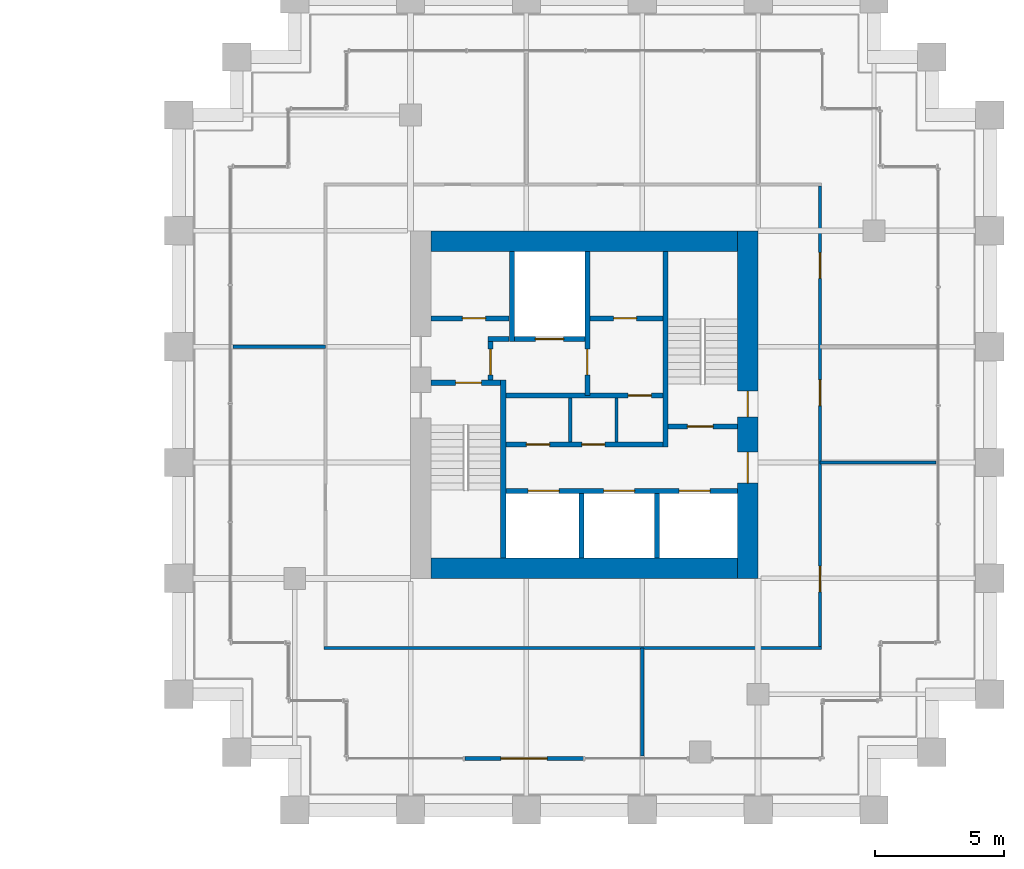
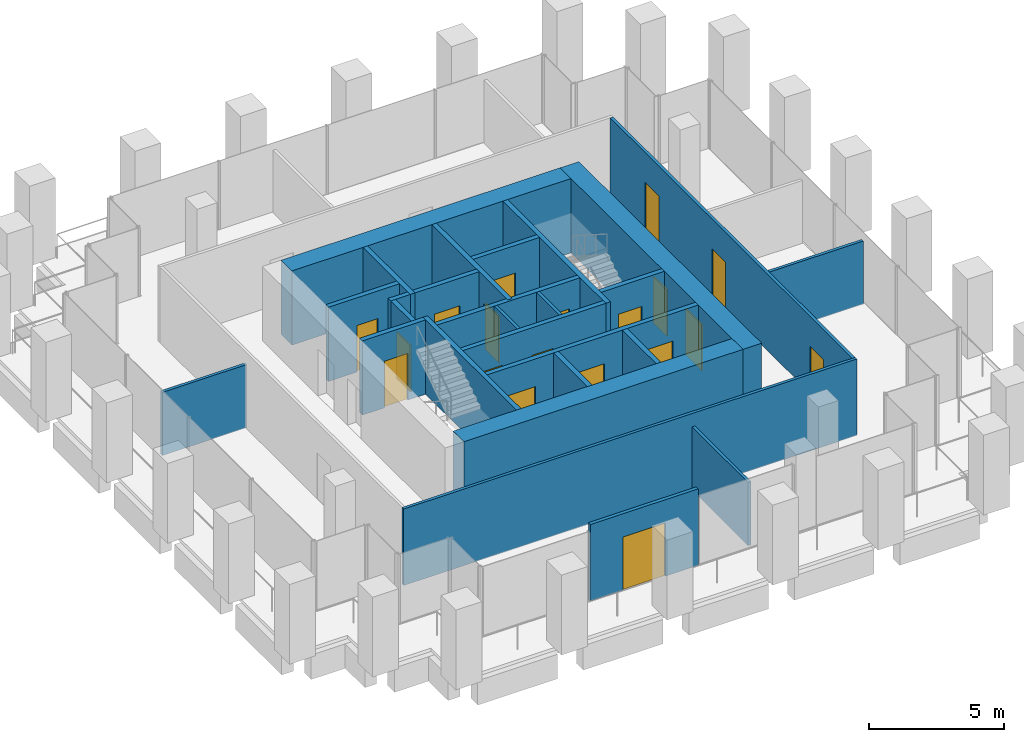
# One storey, part 52 of 54: 27 walls, 19 doors, 19 openings.
"""IFC4 building model written with IfcOpenShell, lengths in metres."""

from ifc_helpers import new_model, si_unit, direction, frame, frame_2d, origin, place, context, subcontext, project, spatial, rectangle, extrude, material, layer, layer_set, type_object, element, fill, save


model = new_model("IFC4")

# Units and contexts
model_context = context("Model", 3, precision=1e-05, world=origin(), true_north=direction((0.0, 1.0)))
body_context = subcontext(model_context, "Body", "Model", "MODEL_VIEW")
ifc_project = project(units=[si_unit("LENGTHUNIT", "METRE"), si_unit("AREAUNIT", "SQUARE_METRE"), si_unit("VOLUMEUNIT", "CUBIC_METRE"), si_unit("PLANEANGLEUNIT", "RADIAN"), si_unit("MASSUNIT", "GRAM", prefix="KILO")], contexts=[model_context])

# Site, building, storey
site_placement = place(None, origin())
site = spatial("IfcSite", under=ifc_project, at=site_placement, CompositionType="ELEMENT")
building_placement = place(site_placement, origin())
building = spatial("IfcBuilding", under=site, at=building_placement, Name="Altepetl Exchange Towers", CompositionType="ELEMENT")
storey_placement = place(building_placement, frame((0.0, 0.0, 61.800048828125)))
storey = spatial("IfcBuildingStorey", under=building, at=storey_placement, Name="L14", CompositionType="ELEMENT", Elevation=61.800048828125)

# Wall, openings, doors
ifc_material_1 = material(Name="Concrete C70/85", Category="concrete")
ifc_layer_1 = layer(ifc_material_1, 0.800048828125)
ifc_layer_set_1 = layer_set([ifc_layer_1], Name="Concrete C70/85")
wall_type_1 = type_object("IfcWallType", Name="Core wall 800 reinforced concrete", PredefinedType="SHEAR", material=ifc_layer_set_1)
wall_1_placement = place(storey_placement, frame((116.60009765625, 36.0, 0.0), z_axis=(0.0, 0.0, 1.0), x_axis=(0.0, 1.0, 0.0)))
wall_1 = element("IfcWall", 1, at=wall_1_placement, inside=storey, type_object=wall_type_1, Name="wall:B:L14:K-coreE", PredefinedType="SHEAR", context=body_context, shape_type="SweptSolid", body=[
    extrude(rectangle(XDim=13.5, YDim=0.800048828125, at=frame_2d((6.75, 0.0))), origin(), (0.0, 0.0, 1.0), 3.349853515625),
])
opening_1_placement = place(wall_1_placement, frame((3.699951171875, 0.0, 0.0)))
opening_1 = element("IfcOpeningElement", 2, at=opening_1_placement, cuts=wall_1, Name="Opening L14.B61", PredefinedType="OPENING", context=body_context, shape_type="SweptSolid", body=[
    extrude(rectangle(XDim=1.199951171875, YDim=2.10009765625, at=frame_2d((0.60009765625, 1.050048828125))), frame((0.0, 0.41015625, 0.0), z_axis=(0.0, -1.0, 0.0), x_axis=(1.0, 0.0, 0.0)), (0.0, 0.0, 1.0), 0.820068359375),
])
opening_2_placement = place(wall_1_placement, frame((6.27490234375, 0.0, 0.0)))
opening_2 = element("IfcOpeningElement", 3, at=opening_2_placement, cuts=wall_1, Name="Opening L14.B65", PredefinedType="OPENING", context=body_context, shape_type="SweptSolid", body=[
    extrude(rectangle(XDim=1.0, YDim=2.10009765625, at=frame_2d((0.5, 1.050048828125))), frame((0.0, 0.41015625, 0.0), z_axis=(0.0, -1.0, 0.0), x_axis=(1.0, 0.0, 0.0)), (0.0, 0.0, 1.0), 0.820068359375),
])
ifc_material_2 = material(Name="Steel and timber fire door", Category="steel")
door_type_1 = type_object("IfcDoorType", Name="Fire door 1000 x 2100 stair and lobby", OperationType="SINGLE_SWING_LEFT", PredefinedType="DOOR", material=ifc_material_2)
door_1_placement = place(opening_2_placement, origin())
door_1 = element("IfcDoor", 4, at=door_1_placement, inside=storey, type_object=door_type_1, Name="door:B:L14:K-dS2x", OperationType="SINGLE_SWING_LEFT", OverallHeight=2.10009765625, OverallWidth=1.0, PredefinedType="DOOR", context=body_context, shape_type="SweptSolid", body=[
    extrude(rectangle(XDim=1.0, YDim=2.10009765625, at=frame_2d((0.5, 1.050048828125))), frame((0.0, 0.02490234375, 0.0), z_axis=(0.0, -1.0, 0.0), x_axis=(1.0, 0.0, 0.0)), (0.0, 0.0, 1.0), 0.050048828125),
])
fill(opening_2, door_1)
door_type_2 = type_object("IfcDoorType", Name="Fire door 1200 x 2100 lobby entry", OperationType="SINGLE_SWING_LEFT", PredefinedType="DOOR", material=ifc_material_2)
door_2_placement = place(opening_1_placement, origin())
door_2 = element("IfcDoor", 5, at=door_2_placement, inside=storey, type_object=door_type_2, Name="door:B:L14:K-dLSE", OperationType="SINGLE_SWING_RIGHT", OverallHeight=2.10009765625, OverallWidth=1.199951171875, PredefinedType="DOOR", context=body_context, shape_type="SweptSolid", body=[
    extrude(rectangle(XDim=1.199951171875, YDim=2.10009765625, at=frame_2d((0.60009765625, 1.050048828125))), frame((0.0, 0.02490234375, 0.0), z_axis=(0.0, -1.0, 0.0), x_axis=(1.0, 0.0, 0.0)), (0.0, 0.0, 1.0), 0.050048828125),
])
fill(opening_1, door_2)

# Walls
for number, where, name in (
    (6, (104.300048828125, 49.10009765625, 0.0), "wall:B:L14:K-coreN"),
    (7, (104.300048828125, 36.39990234375, 0.0), "wall:B:L14:K-coreS"),
):
    element("IfcWall", number, at=place(storey_placement, frame(where)), inside=storey, type_object=wall_type_1, Name=name, PredefinedType="SHEAR", context=body_context, shape_type="SweptSolid", body=[
        extrude(rectangle(XDim=11.89990234375, YDim=0.800048828125, at=frame_2d((5.949951171875, 0.0))), origin(), (0.0, 0.0, 1.0), 3.349853515625),
    ])

# Wall, opening, door
ifc_material_3 = material(Name="Aluminium composite cladding", Category="aluminium")
ifc_layer_2 = layer(ifc_material_3, 0.14990234375)
ifc_layer_set_2 = layer_set([ifc_layer_2], Name="Aluminium composite cladding")
wall_type_2 = type_object("IfcWallType", Name="Infill wall 150 aluminium panel", PredefinedType="SOLIDWALL", material=ifc_layer_set_2)
wall_2_placement = place(storey_placement, frame((105.606201171875, 29.0, 0.0)))
wall_2 = element("IfcWall", 8, at=wall_2_placement, inside=storey, type_object=wall_type_2, Name="Loggia door bay wall", PredefinedType="SOLIDWALL", context=body_context, shape_type="SweptSolid", body=[
    extrude(rectangle(XDim=4.606201171875, YDim=0.14990234375, at=frame_2d((2.30322265625, 0.0))), origin(), (0.0, 0.0, 1.0), 3.449951171875),
])
opening_3_placement = place(wall_2_placement, frame((1.403076171875, 0.0, 0.0)))
opening_3 = element("IfcOpeningElement", 9, at=opening_3_placement, cuts=wall_2, Name="Opening L14.B90", PredefinedType="OPENING", context=body_context, shape_type="SweptSolid", body=[
    extrude(rectangle(XDim=1.800048828125, YDim=2.39990234375, at=frame_2d((0.89990234375, 1.199951171875))), frame((0.0, 0.0849609375, 0.0), z_axis=(0.0, -1.0, 0.0), x_axis=(1.0, 0.0, 0.0)), (0.0, 0.0, 1.0), 0.169921875),
])
ifc_material_4 = material(Name="Aluminium 6063-T6 and glass", Category="aluminium")
door_type_3 = type_object("IfcDoorType", Name="Glazed door pair 1800x2400", OperationType="DOUBLE_DOOR_DOUBLE_SWING", PredefinedType="NOTDEFINED", material=ifc_material_4)
door_3_placement = place(opening_3_placement, frame((1.800048828125, 0.0, 0.0), x_axis=(-1.0, 0.0, 0.0)))
door_3 = element("IfcDoor", 10, at=door_3_placement, inside=storey, type_object=door_type_3, Name="Loggia door", OperationType="DOUBLE_DOOR_DOUBLE_SWING", OverallHeight=2.39990234375, OverallWidth=1.800048828125, PredefinedType="NOTDEFINED", context=body_context, shape_type="SweptSolid", body=[
    extrude(rectangle(XDim=1.800048828125, YDim=2.39990234375, at=frame_2d((0.89990234375, 1.199951171875))), frame((0.0, 0.02490234375, 0.0), z_axis=(0.0, -1.0, 0.0), x_axis=(1.0, 0.0, 0.0)), (0.0, 0.0, 1.0), 0.050048828125),
])
fill(opening_3, door_3)

# Wall
ifc_material_5 = material(Name="Concrete blockwork", Category="masonry")
ifc_layer_3 = layer(ifc_material_5, 0.199951171875)
ifc_layer_set_3 = layer_set([ifc_layer_3], Name="Concrete blockwork")
wall_type_3 = type_object("IfcWallType", Name="Lobby wall 200 blockwork", PredefinedType="PARTITIONING", material=ifc_layer_set_3)
wall_3_placement = place(storey_placement, frame((106.5, 45.300048828125, 0.0)))
element("IfcWall", 11, at=wall_3_placement, inside=storey, type_object=wall_type_3, Name="wall:B:L14:K-ffNw", PredefinedType="PARTITIONING", context=body_context, shape_type="SweptSolid", body=[
    extrude(rectangle(XDim=0.833251953125, YDim=0.199951171875, at=frame_2d((0.41650390625, 0.0))), origin(), (0.0, 0.0, 1.0), 3.349853515625),
])

# Wall, opening, door
wall_4_placement = place(storey_placement, frame((106.60009765625, 43.699951171875, 0.0), z_axis=(0.0, 0.0, 1.0), x_axis=(0.0, 1.0, 0.0)))
wall_4 = element("IfcWall", 12, at=wall_4_placement, inside=storey, type_object=wall_type_3, Name="wall:B:L14:K-ffW", PredefinedType="PARTITIONING", context=body_context, shape_type="SweptSolid", body=[
    extrude(rectangle(XDim=1.5, YDim=0.199951171875, at=frame_2d((0.75, 0.0))), origin(), (0.0, 0.0, 1.0), 3.349853515625),
])
opening_4_placement = place(wall_4_placement, frame((0.199951171875, 0.0, 0.0)))
opening_4 = element("IfcOpeningElement", 13, at=opening_4_placement, cuts=wall_4, Name="Opening L14.B67", PredefinedType="OPENING", context=body_context, shape_type="SweptSolid", body=[
    extrude(rectangle(XDim=1.0, YDim=2.10009765625, at=frame_2d((0.5, 1.050048828125))), frame((0.0, 0.10986328125, 0.0), z_axis=(0.0, -1.0, 0.0), x_axis=(1.0, 0.0, 0.0)), (0.0, 0.0, 1.0), 0.219970703125),
])
door_4_placement = place(opening_4_placement, frame((1.0, 0.0, 0.0), x_axis=(-1.0, 0.0, 0.0)))
door_4 = element("IfcDoor", 14, at=door_4_placement, inside=storey, type_object=door_type_1, Name="door:B:L14:K-dffW", OperationType="SINGLE_SWING_LEFT", OverallHeight=2.10009765625, OverallWidth=1.0, PredefinedType="DOOR", context=body_context, shape_type="SweptSolid", body=[
    extrude(rectangle(XDim=1.0, YDim=2.10009765625, at=frame_2d((0.5, 1.050048828125))), frame((0.0, 0.02490234375, 0.0), z_axis=(0.0, -1.0, 0.0), x_axis=(1.0, 0.0, 0.0)), (0.0, 0.0, 1.0), 0.050048828125),
])
fill(opening_4, door_4)

wall_5_placement = place(storey_placement, frame((107.199951171875, 43.10009765625, 0.0)))
wall_5 = element("IfcWall", 15, at=wall_5_placement, inside=storey, type_object=wall_type_3, Name="wall:B:L14:K-zoneN", PredefinedType="PARTITIONING", context=body_context, shape_type="SweptSolid", body=[
    extrude(rectangle(XDim=6.10009765625, YDim=0.199951171875, at=frame_2d((3.050048828125, 0.0))), origin(), (0.0, 0.0, 1.0), 3.349853515625),
])
opening_5_placement = place(wall_5_placement, frame((4.75, 0.0, 0.0)))
opening_5 = element("IfcOpeningElement", 16, at=opening_5_placement, cuts=wall_5, Name="Opening L14.B72", PredefinedType="OPENING", context=body_context, shape_type="SweptSolid", body=[
    extrude(rectangle(XDim=0.89990234375, YDim=2.10009765625, at=frame_2d((0.449951171875, 1.050048828125))), frame((0.0, 0.10986328125, 0.0), z_axis=(0.0, -1.0, 0.0), x_axis=(1.0, 0.0, 0.0)), (0.0, 0.0, 1.0), 0.219970703125),
])
door_type_4 = type_object("IfcDoorType", Name="Fire door 900 x 2100 service room", OperationType="SINGLE_SWING_LEFT", PredefinedType="DOOR", material=ifc_material_2)
door_5_placement = place(opening_5_placement, frame((0.89990234375, 0.0, 0.0), x_axis=(-1.0, 0.0, 0.0)))
door_5 = element("IfcDoor", 17, at=door_5_placement, inside=storey, type_object=door_type_4, Name="door:B:L14:K-dz3", OperationType="SINGLE_SWING_RIGHT", OverallHeight=2.10009765625, OverallWidth=0.89990234375, PredefinedType="DOOR", context=body_context, shape_type="SweptSolid", body=[
    extrude(rectangle(XDim=0.89990234375, YDim=2.10009765625, at=frame_2d((0.449951171875, 1.050048828125))), frame((0.0, 0.02490234375, 0.0), z_axis=(0.0, -1.0, 0.0), x_axis=(1.0, 0.0, 0.0)), (0.0, 0.0, 1.0), 0.050048828125),
])
fill(opening_5, door_5)

# Wall, openings, doors
wall_6_placement = place(storey_placement, frame((107.199951171875, 41.199951171875, 0.0)))
wall_6 = element("IfcWall", 18, at=wall_6_placement, inside=storey, type_object=wall_type_3, Name="wall:B:L14:K-zoneS", PredefinedType="PARTITIONING", context=body_context, shape_type="SweptSolid", body=[
    extrude(rectangle(XDim=6.10009765625, YDim=0.199951171875, at=frame_2d((3.050048828125, 0.0))), origin(), (0.0, 0.0, 1.0), 3.349853515625),
])
opening_6_placement = place(wall_6_placement, frame((0.800048828125, 0.0, 0.0)))
opening_6 = element("IfcOpeningElement", 19, at=opening_6_placement, cuts=wall_6, Name="Opening L14.B70", PredefinedType="OPENING", context=body_context, shape_type="SweptSolid", body=[
    extrude(rectangle(XDim=0.89990234375, YDim=2.10009765625, at=frame_2d((0.449951171875, 1.050048828125))), frame((0.0, 0.10986328125, 0.0), z_axis=(0.0, -1.0, 0.0), x_axis=(1.0, 0.0, 0.0)), (0.0, 0.0, 1.0), 0.219970703125),
])
opening_7_placement = place(wall_6_placement, frame((2.949951171875, 0.0, 0.0)))
opening_7 = element("IfcOpeningElement", 20, at=opening_7_placement, cuts=wall_6, Name="Opening L14.B71", PredefinedType="OPENING", context=body_context, shape_type="SweptSolid", body=[
    extrude(rectangle(XDim=0.89990234375, YDim=2.10009765625, at=frame_2d((0.449951171875, 1.050048828125))), frame((0.0, 0.10986328125, 0.0), z_axis=(0.0, -1.0, 0.0), x_axis=(1.0, 0.0, 0.0)), (0.0, 0.0, 1.0), 0.219970703125),
])
door_6_placement = place(opening_6_placement, origin())
door_6 = element("IfcDoor", 21, at=door_6_placement, inside=storey, type_object=door_type_4, Name="door:B:L14:K-dz1", OperationType="SINGLE_SWING_RIGHT", OverallHeight=2.10009765625, OverallWidth=0.89990234375, PredefinedType="DOOR", context=body_context, shape_type="SweptSolid", body=[
    extrude(rectangle(XDim=0.89990234375, YDim=2.10009765625, at=frame_2d((0.449951171875, 1.050048828125))), frame((0.0, 0.02490234375, 0.0), z_axis=(0.0, -1.0, 0.0), x_axis=(1.0, 0.0, 0.0)), (0.0, 0.0, 1.0), 0.050048828125),
])
fill(opening_6, door_6)
door_7_placement = place(opening_7_placement, origin())
door_7 = element("IfcDoor", 22, at=door_7_placement, inside=storey, type_object=door_type_4, Name="door:B:L14:K-dz2", OperationType="SINGLE_SWING_RIGHT", OverallHeight=2.10009765625, OverallWidth=0.89990234375, PredefinedType="DOOR", context=body_context, shape_type="SweptSolid", body=[
    extrude(rectangle(XDim=0.89990234375, YDim=2.10009765625, at=frame_2d((0.449951171875, 1.050048828125))), frame((0.0, 0.02490234375, 0.0), z_axis=(0.0, -1.0, 0.0), x_axis=(1.0, 0.0, 0.0)), (0.0, 0.0, 1.0), 0.050048828125),
])
fill(opening_7, door_7)

# Walls
ifc_material_6 = material(Name="Gypsum board on steel studs", Category="steel")
ifc_layer_4 = layer(ifc_material_6, 0.125)
ifc_layer_set_4 = layer_set([ifc_layer_4], Name="Gypsum board on steel studs")
wall_type_4 = type_object("IfcWallType", Name="Partition 125 gypsum board on steel studs", PredefinedType="PARTITIONING", material=ifc_layer_set_4)
for number, where, z_axis, x_axis, name in (
    (23, (109.699951171875, 41.300048828125, 0.0), (0.0, 0.0, 1.0), (0.0, 1.0, 0.0), "wall:B:L14:K-zp1"),
    (24, (111.5, 41.300048828125, 0.0), (0.0, 0.0, 1.0), (0.0, 1.0, 0.0), "wall:B:L14:K-zp2"),
):
    element("IfcWall", number, at=place(storey_placement, frame(where, z_axis=z_axis, x_axis=x_axis)), inside=storey, type_object=wall_type_4, Name=name, PredefinedType="PARTITIONING", context=body_context, shape_type="SweptSolid", body=[
        extrude(rectangle(XDim=1.699951171875, YDim=0.125, at=frame_2d((0.85009765625, 0.0))), origin(), (0.0, 0.0, 1.0), 3.349853515625),
    ])
wall_7_placement = place(storey_placement, frame((100.137451171875, 33.300048828125, 0.0)))
element("IfcWall", 25, at=wall_7_placement, inside=storey, type_object=wall_type_4, Name="wall:B:L14:P01", PredefinedType="PARTITIONING", context=body_context, shape_type="SweptSolid", body=[
    extrude(rectangle(XDim=19.324951171875, YDim=0.125, at=frame_2d((9.66259765625, 0.0))), origin(), (0.0, 0.0, 1.0), 3.449951171875),
])
wall_8_placement = place(storey_placement, frame((119.39990234375, 40.5, 0.0)))
element("IfcWall", 26, at=wall_8_placement, inside=storey, type_object=wall_type_4, Name="wall:B:L14:P02", PredefinedType="PARTITIONING", context=body_context, shape_type="SweptSolid", body=[
    extrude(rectangle(XDim=4.5, YDim=0.125, at=frame_2d((2.25, 0.0))), origin(), (0.0, 0.0, 1.0), 2.850830078125),
])
wall_9_placement = place(storey_placement, frame((96.60009765625, 45.0, 0.0)))
element("IfcWall", 27, at=wall_9_placement, inside=storey, type_object=wall_type_4, Name="wall:B:L14:P03", PredefinedType="PARTITIONING", context=body_context, shape_type="SweptSolid", body=[
    extrude(rectangle(XDim=3.599853515625, YDim=0.125, at=frame_2d((1.7998046875, 0.0))), origin(), (0.0, 0.0, 1.0), 2.850830078125),
])
wall_10_placement = place(storey_placement, frame((112.5, 29.10009765625, 0.0), z_axis=(0.0, 0.0, 1.0), x_axis=(0.0, 1.0, 0.0)))
element("IfcWall", 28, at=wall_10_placement, inside=storey, type_object=wall_type_4, Name="wall:B:L14:P08", PredefinedType="PARTITIONING", context=body_context, shape_type="SweptSolid", body=[
    extrude(rectangle(XDim=4.199951171875, YDim=0.125, at=frame_2d((2.10009765625, 0.0))), origin(), (0.0, 0.0, 1.0), 2.850830078125),
])

# Wall, openings, doors
wall_11_placement = place(storey_placement, frame((119.39990234375, 33.362548828125, 0.0), z_axis=(0.0, 0.0, 1.0), x_axis=(0.0, 1.0, 0.0)))
wall_11 = element("IfcWall", 29, at=wall_11_placement, inside=storey, type_object=wall_type_4, Name="wall:B:L14:P10", PredefinedType="PARTITIONING", context=body_context, shape_type="SweptSolid", body=[
    extrude(rectangle(XDim=17.875, YDim=0.125, at=frame_2d((8.9375, 0.0))), origin(), (0.0, 0.0, 1.0), 3.449951171875),
])
opening_8_placement = place(wall_11_placement, frame((2.109619140625, 0.0, 0.0)))
opening_8 = element("IfcOpeningElement", 30, at=opening_8_placement, cuts=wall_11, Name="Opening L14.B02", PredefinedType="OPENING", context=body_context, shape_type="SweptSolid", body=[
    extrude(rectangle(XDim=1.0, YDim=2.10009765625, at=frame_2d((0.5, 1.050048828125))), frame((0.0, 0.072509765625, 0.0), z_axis=(0.0, -1.0, 0.0), x_axis=(1.0, 0.0, 0.0)), (0.0, 0.0, 1.0), 0.14501953125),
])
opening_9_placement = place(wall_11_placement, frame((9.342529296875, 0.0, 0.0)))
opening_9 = element("IfcOpeningElement", 31, at=opening_9_placement, cuts=wall_11, Name="Opening L14.B03", PredefinedType="OPENING", context=body_context, shape_type="SweptSolid", body=[
    extrude(rectangle(XDim=1.0, YDim=2.10009765625, at=frame_2d((0.5, 1.050048828125))), frame((0.0, 0.072509765625, 0.0), z_axis=(0.0, -1.0, 0.0), x_axis=(1.0, 0.0, 0.0)), (0.0, 0.0, 1.0), 0.14501953125),
])
opening_10_placement = place(wall_11_placement, frame((14.28759765625, 0.0, 0.0)))
opening_10 = element("IfcOpeningElement", 32, at=opening_10_placement, cuts=wall_11, Name="Opening L14.B04", PredefinedType="OPENING", context=body_context, shape_type="SweptSolid", body=[
    extrude(rectangle(XDim=1.0, YDim=2.10009765625, at=frame_2d((0.5, 1.050048828125))), frame((0.0, 0.072509765625, 0.0), z_axis=(0.0, -1.0, 0.0), x_axis=(1.0, 0.0, 0.0)), (0.0, 0.0, 1.0), 0.14501953125),
])
door_type_5 = type_object("IfcDoorType", Name="Fire door 1000 x 2100 single leaf", OperationType="SINGLE_SWING_LEFT", PredefinedType="DOOR", material=ifc_material_2)
door_8_placement = place(opening_8_placement, frame((1.0, 0.0, 0.0), x_axis=(-1.0, 0.0, 0.0)))
door_8 = element("IfcDoor", 33, at=door_8_placement, inside=storey, type_object=door_type_5, Name="door:B:L14:02", OperationType="SINGLE_SWING_RIGHT", OverallHeight=2.10009765625, OverallWidth=1.0, PredefinedType="DOOR", context=body_context, shape_type="SweptSolid", body=[
    extrude(rectangle(XDim=1.0, YDim=2.10009765625, at=frame_2d((0.5, 1.050048828125))), frame((0.0, 0.02490234375, 0.0), z_axis=(0.0, -1.0, 0.0), x_axis=(1.0, 0.0, 0.0)), (0.0, 0.0, 1.0), 0.050048828125),
])
fill(opening_8, door_8)
door_9_placement = place(opening_9_placement, frame((1.0, 0.0, 0.0), x_axis=(-1.0, 0.0, 0.0)))
door_9 = element("IfcDoor", 34, at=door_9_placement, inside=storey, type_object=door_type_5, Name="door:B:L14:03", OperationType="SINGLE_SWING_LEFT", OverallHeight=2.10009765625, OverallWidth=1.0, PredefinedType="DOOR", context=body_context, shape_type="SweptSolid", body=[
    extrude(rectangle(XDim=1.0, YDim=2.10009765625, at=frame_2d((0.5, 1.050048828125))), frame((0.0, 0.02490234375, 0.0), z_axis=(0.0, -1.0, 0.0), x_axis=(1.0, 0.0, 0.0)), (0.0, 0.0, 1.0), 0.050048828125),
])
fill(opening_9, door_9)
door_10_placement = place(opening_10_placement, frame((1.0, 0.0, 0.0), x_axis=(-1.0, 0.0, 0.0)))
door_10 = element("IfcDoor", 35, at=door_10_placement, inside=storey, type_object=door_type_5, Name="door:B:L14:04", OperationType="SINGLE_SWING_RIGHT", OverallHeight=2.10009765625, OverallWidth=1.0, PredefinedType="DOOR", context=body_context, shape_type="SweptSolid", body=[
    extrude(rectangle(XDim=1.0, YDim=2.10009765625, at=frame_2d((0.5, 1.050048828125))), frame((0.0, 0.02490234375, 0.0), z_axis=(0.0, -1.0, 0.0), x_axis=(1.0, 0.0, 0.0)), (0.0, 0.0, 1.0), 0.050048828125),
])
fill(opening_10, door_10)

# Wall
ifc_material_7 = material(Name="Concrete C40/50", Category="concrete")
ifc_layer_5 = layer(ifc_material_7, 0.199951171875)
ifc_layer_set_5 = layer_set([ifc_layer_5], Name="Concrete C40/50")
wall_type_5 = type_object("IfcWallType", Name="Shaft wall 200 reinforced concrete", PredefinedType="SHEAR", material=ifc_layer_set_5)
wall_12_placement = place(storey_placement, frame((107.433349609375, 48.699951171875, 0.0), z_axis=(0.0, 0.0, 1.0), x_axis=(0.0, -1.0, 0.0)))
element("IfcWall", 36, at=wall_12_placement, inside=storey, type_object=wall_type_5, Name="wall:B:L14:K-divN1", PredefinedType="SHEAR", context=body_context, shape_type="SweptSolid", body=[
    extrude(rectangle(XDim=3.5, YDim=0.199951171875, at=frame_2d((1.75, 0.0))), origin(), (0.0, 0.0, 1.0), 3.349853515625),
])

# Wall, opening, door
wall_13_placement = place(storey_placement, frame((110.36669921875, 48.699951171875, 0.0), z_axis=(0.0, 0.0, 1.0), x_axis=(0.0, -1.0, 0.0)))
wall_13 = element("IfcWall", 37, at=wall_13_placement, inside=storey, type_object=wall_type_5, Name="wall:B:L14:K-divN2", PredefinedType="SHEAR", context=body_context, shape_type="SweptSolid", body=[
    extrude(rectangle(XDim=5.599853515625, YDim=0.199951171875, at=frame_2d((2.7998046875, 0.0))), origin(), (0.0, 0.0, 1.0), 3.349853515625),
])
opening_11_placement = place(wall_13_placement, frame((3.800048828125, 0.0, 0.0)))
opening_11 = element("IfcOpeningElement", 38, at=opening_11_placement, cuts=wall_13, Name="Opening L14.B66", PredefinedType="OPENING", context=body_context, shape_type="SweptSolid", body=[
    extrude(rectangle(XDim=1.0, YDim=2.10009765625, at=frame_2d((0.5, 1.050048828125))), frame((0.0, 0.10986328125, 0.0), z_axis=(0.0, -1.0, 0.0), x_axis=(1.0, 0.0, 0.0)), (0.0, 0.0, 1.0), 0.219970703125),
])
door_11_placement = place(opening_11_placement, frame((1.0, 0.0, 0.0), x_axis=(-1.0, 0.0, 0.0)))
door_11 = element("IfcDoor", 39, at=door_11_placement, inside=storey, type_object=door_type_1, Name="door:B:L14:K-dffE", OperationType="SINGLE_SWING_RIGHT", OverallHeight=2.10009765625, OverallWidth=1.0, PredefinedType="DOOR", context=body_context, shape_type="SweptSolid", body=[
    extrude(rectangle(XDim=1.0, YDim=2.10009765625, at=frame_2d((0.5, 1.050048828125))), frame((0.0, 0.02490234375, 0.0), z_axis=(0.0, -1.0, 0.0), x_axis=(1.0, 0.0, 0.0)), (0.0, 0.0, 1.0), 0.050048828125),
])
fill(opening_11, door_11)

# Walls
for number, where, z_axis, x_axis, name in (
    (40, (110.13330078125, 36.800048828125, 0.0), (0.0, 0.0, 1.0), (0.0, 1.0, 0.0), "wall:B:L14:K-divS1"),
    (41, (113.066650390625, 36.800048828125, 0.0), (0.0, 0.0, 1.0), (0.0, 1.0, 0.0), "wall:B:L14:K-divS2"),
):
    element("IfcWall", number, at=place(storey_placement, frame(where, z_axis=z_axis, x_axis=x_axis)), inside=storey, type_object=wall_type_5, Name=name, PredefinedType="SHEAR", context=body_context, shape_type="SweptSolid", body=[
        extrude(rectangle(XDim=2.5, YDim=0.199951171875, at=frame_2d((1.25, 0.0))), origin(), (0.0, 0.0, 1.0), 3.349853515625),
    ])

# Wall, opening, door
wall_14_placement = place(storey_placement, frame((104.300048828125, 46.10009765625, 0.0)))
wall_14 = element("IfcWall", 42, at=wall_14_placement, inside=storey, type_object=wall_type_5, Name="wall:B:L14:K-frontNa", PredefinedType="SHEAR", context=body_context, shape_type="SweptSolid", body=[
    extrude(rectangle(XDim=3.033203125, YDim=0.199951171875, at=frame_2d((1.5166015625, 0.0))), origin(), (0.0, 0.0, 1.0), 3.349853515625),
])
opening_12_placement = place(wall_14_placement, frame((1.216796875, 0.0, 0.0)))
opening_12 = element("IfcOpeningElement", 43, at=opening_12_placement, cuts=wall_14, Name="Opening L14.B68", PredefinedType="OPENING", context=body_context, shape_type="SweptSolid", body=[
    extrude(rectangle(XDim=0.89990234375, YDim=2.10009765625, at=frame_2d((0.449951171875, 1.050048828125))), frame((0.0, 0.10986328125, 0.0), z_axis=(0.0, -1.0, 0.0), x_axis=(1.0, 0.0, 0.0)), (0.0, 0.0, 1.0), 0.219970703125),
])
door_12_placement = place(opening_12_placement, origin())
door_12 = element("IfcDoor", 44, at=door_12_placement, inside=storey, type_object=door_type_4, Name="door:B:L14:K-dslotN0", OperationType="SINGLE_SWING_RIGHT", OverallHeight=2.10009765625, OverallWidth=0.89990234375, PredefinedType="DOOR", context=body_context, shape_type="SweptSolid", body=[
    extrude(rectangle(XDim=0.89990234375, YDim=2.10009765625, at=frame_2d((0.449951171875, 1.050048828125))), frame((0.0, 0.02490234375, 0.0), z_axis=(0.0, -1.0, 0.0), x_axis=(1.0, 0.0, 0.0)), (0.0, 0.0, 1.0), 0.050048828125),
])
fill(opening_12, door_12)

wall_15_placement = place(storey_placement, frame((110.466796875, 46.10009765625, 0.0)))
wall_15 = element("IfcWall", 45, at=wall_15_placement, inside=storey, type_object=wall_type_5, Name="wall:B:L14:K-frontNb", PredefinedType="SHEAR", context=body_context, shape_type="SweptSolid", body=[
    extrude(rectangle(XDim=2.833251953125, YDim=0.199951171875, at=frame_2d((1.41650390625, 0.0))), origin(), (0.0, 0.0, 1.0), 3.349853515625),
])
opening_13_placement = place(wall_15_placement, frame((0.91650390625, 0.0, 0.0)))
opening_13 = element("IfcOpeningElement", 46, at=opening_13_placement, cuts=wall_15, Name="Opening L14.B69", PredefinedType="OPENING", context=body_context, shape_type="SweptSolid", body=[
    extrude(rectangle(XDim=0.89990234375, YDim=2.10009765625, at=frame_2d((0.449951171875, 1.050048828125))), frame((0.0, 0.10986328125, 0.0), z_axis=(0.0, -1.0, 0.0), x_axis=(1.0, 0.0, 0.0)), (0.0, 0.0, 1.0), 0.219970703125),
])
door_13_placement = place(opening_13_placement, origin())
door_13 = element("IfcDoor", 47, at=door_13_placement, inside=storey, type_object=door_type_4, Name="door:B:L14:K-dslotN2", OperationType="SINGLE_SWING_RIGHT", OverallHeight=2.10009765625, OverallWidth=0.89990234375, PredefinedType="DOOR", context=body_context, shape_type="SweptSolid", body=[
    extrude(rectangle(XDim=0.89990234375, YDim=2.10009765625, at=frame_2d((0.449951171875, 1.050048828125))), frame((0.0, 0.02490234375, 0.0), z_axis=(0.0, -1.0, 0.0), x_axis=(1.0, 0.0, 0.0)), (0.0, 0.0, 1.0), 0.050048828125),
])
fill(opening_13, door_13)

wall_16_placement = place(storey_placement, frame((107.533203125, 45.300048828125, 0.0)))
wall_16 = element("IfcWall", 48, at=wall_16_placement, inside=storey, type_object=wall_type_5, Name="wall:B:L14:K-frontNd", PredefinedType="SHEAR", context=body_context, shape_type="SweptSolid", body=[
    extrude(rectangle(XDim=2.7333984375, YDim=0.199951171875, at=frame_2d((1.36669921875, 0.0))), origin(), (0.0, 0.0, 1.0), 3.349853515625),
])
opening_14_placement = place(wall_16_placement, frame((0.816650390625, 0.0, 0.0)))
opening_14 = element("IfcOpeningElement", 49, at=opening_14_placement, cuts=wall_16, Name="Opening L14.B73", PredefinedType="OPENING", context=body_context, shape_type="SweptSolid", body=[
    extrude(rectangle(XDim=1.10009765625, YDim=2.10009765625, at=frame_2d((0.550048828125, 1.050048828125))), frame((0.0, 0.10986328125, 0.0), z_axis=(0.0, -1.0, 0.0), x_axis=(1.0, 0.0, 0.0)), (0.0, 0.0, 1.0), 0.219970703125),
])
ifc_material_8 = material(Name="Stainless steel", Category="steel")
door_type_6 = type_object("IfcDoorType", Name="Lift landing door 1100 x 2100", OperationType="SLIDING_TO_LEFT", PredefinedType="DOOR", material=ifc_material_8)
door_14_placement = place(opening_14_placement, origin())
door_14 = element("IfcDoor", 50, at=door_14_placement, inside=storey, type_object=door_type_6, Name="Landing door FFL1", OperationType="SLIDING_TO_LEFT", OverallHeight=2.10009765625, OverallWidth=1.10009765625, PredefinedType="DOOR", context=body_context, shape_type="SweptSolid", body=[
    extrude(rectangle(XDim=1.10009765625, YDim=2.10009765625, at=frame_2d((0.550048828125, 1.050048828125))), frame((0.0, 0.02490234375, 0.0), z_axis=(0.0, -1.0, 0.0), x_axis=(1.0, 0.0, 0.0)), (0.0, 0.0, 1.0), 0.050048828125),
])
fill(opening_14, door_14)

# Wall, openings, doors
wall_17_placement = place(storey_placement, frame((107.199951171875, 39.39990234375, 0.0)))
wall_17 = element("IfcWall", 51, at=wall_17_placement, inside=storey, type_object=wall_type_5, Name="wall:B:L14:K-frontS", PredefinedType="SHEAR", context=body_context, shape_type="SweptSolid", body=[
    extrude(rectangle(XDim=9.0, YDim=0.199951171875, at=frame_2d((4.5, 0.0))), origin(), (0.0, 0.0, 1.0), 3.349853515625),
])
opening_15_placement = place(wall_17_placement, frame((0.86669921875, 0.0, 0.0)))
opening_15 = element("IfcOpeningElement", 52, at=opening_15_placement, cuts=wall_17, Name="Opening L14.B74", PredefinedType="OPENING", context=body_context, shape_type="SweptSolid", body=[
    extrude(rectangle(XDim=1.199951171875, YDim=2.10009765625, at=frame_2d((0.60009765625, 1.050048828125))), frame((0.0, 0.10986328125, 0.0), z_axis=(0.0, -1.0, 0.0), x_axis=(1.0, 0.0, 0.0)), (0.0, 0.0, 1.0), 0.219970703125),
])
opening_16_placement = place(wall_17_placement, frame((3.800048828125, 0.0, 0.0)))
opening_16 = element("IfcOpeningElement", 53, at=opening_16_placement, cuts=wall_17, Name="Opening L14.B75", PredefinedType="OPENING", context=body_context, shape_type="SweptSolid", body=[
    extrude(rectangle(XDim=1.199951171875, YDim=2.10009765625, at=frame_2d((0.60009765625, 1.050048828125))), frame((0.0, 0.10986328125, 0.0), z_axis=(0.0, -1.0, 0.0), x_axis=(1.0, 0.0, 0.0)), (0.0, 0.0, 1.0), 0.219970703125),
])
opening_17_placement = place(wall_17_placement, frame((6.7333984375, 0.0, 0.0)))
opening_17 = element("IfcOpeningElement", 54, at=opening_17_placement, cuts=wall_17, Name="Opening L14.B76", PredefinedType="OPENING", context=body_context, shape_type="SweptSolid", body=[
    extrude(rectangle(XDim=1.199951171875, YDim=2.10009765625, at=frame_2d((0.60009765625, 1.050048828125))), frame((0.0, 0.10986328125, 0.0), z_axis=(0.0, -1.0, 0.0), x_axis=(1.0, 0.0, 0.0)), (0.0, 0.0, 1.0), 0.219970703125),
])
door_type_7 = type_object("IfcDoorType", Name="Lift landing door 1200 x 2100", OperationType="SLIDING_TO_LEFT", PredefinedType="DOOR", material=ifc_material_8)
door_15_placement = place(opening_15_placement, origin())
door_15 = element("IfcDoor", 55, at=door_15_placement, inside=storey, type_object=door_type_7, Name="Landing door P1", OperationType="SLIDING_TO_LEFT", OverallHeight=2.10009765625, OverallWidth=1.199951171875, PredefinedType="DOOR", context=body_context, shape_type="SweptSolid", body=[
    extrude(rectangle(XDim=1.199951171875, YDim=2.10009765625, at=frame_2d((0.60009765625, 1.050048828125))), frame((0.0, 0.02490234375, 0.0), z_axis=(0.0, -1.0, 0.0), x_axis=(1.0, 0.0, 0.0)), (0.0, 0.0, 1.0), 0.050048828125),
])
fill(opening_15, door_15)
door_16_placement = place(opening_16_placement, origin())
door_16 = element("IfcDoor", 56, at=door_16_placement, inside=storey, type_object=door_type_7, Name="Landing door P2", OperationType="SLIDING_TO_LEFT", OverallHeight=2.10009765625, OverallWidth=1.199951171875, PredefinedType="DOOR", context=body_context, shape_type="SweptSolid", body=[
    extrude(rectangle(XDim=1.199951171875, YDim=2.10009765625, at=frame_2d((0.60009765625, 1.050048828125))), frame((0.0, 0.02490234375, 0.0), z_axis=(0.0, -1.0, 0.0), x_axis=(1.0, 0.0, 0.0)), (0.0, 0.0, 1.0), 0.050048828125),
])
fill(opening_16, door_16)
door_17_placement = place(opening_17_placement, origin())
door_17 = element("IfcDoor", 57, at=door_17_placement, inside=storey, type_object=door_type_7, Name="Landing door P3", OperationType="SLIDING_TO_LEFT", OverallHeight=2.10009765625, OverallWidth=1.199951171875, PredefinedType="DOOR", context=body_context, shape_type="SweptSolid", body=[
    extrude(rectangle(XDim=1.199951171875, YDim=2.10009765625, at=frame_2d((0.60009765625, 1.050048828125))), frame((0.0, 0.02490234375, 0.0), z_axis=(0.0, -1.0, 0.0), x_axis=(1.0, 0.0, 0.0)), (0.0, 0.0, 1.0), 0.050048828125),
])
fill(opening_17, door_17)

# Wall
ifc_layer_6 = layer(ifc_material_7, 0.199951171875)
ifc_layer_set_6 = layer_set([ifc_layer_6], Name="Concrete C40/50")
wall_type_6 = type_object("IfcWallType", Name="Stair wall 200 reinforced concrete", PredefinedType="SHEAR", material=ifc_layer_set_6)
wall_18_placement = place(storey_placement, frame((107.10009765625, 36.800048828125, 0.0), z_axis=(0.0, 0.0, 1.0), x_axis=(0.0, 1.0, 0.0)))
element("IfcWall", 58, at=wall_18_placement, inside=storey, type_object=wall_type_6, Name="wall:B:L14:K-stS1E", PredefinedType="SHEAR", context=body_context, shape_type="SweptSolid", body=[
    extrude(rectangle(XDim=6.89990234375, YDim=0.199951171875, at=frame_2d((3.449951171875, 0.0))), origin(), (0.0, 0.0, 1.0), 3.349853515625),
])

# Wall, opening, door
wall_19_placement = place(storey_placement, frame((104.300048828125, 43.60009765625, 0.0)))
wall_19 = element("IfcWall", 59, at=wall_19_placement, inside=storey, type_object=wall_type_6, Name="wall:B:L14:K-stS1N", PredefinedType="SHEAR", context=body_context, shape_type="SweptSolid", body=[
    extrude(rectangle(XDim=2.699951171875, YDim=0.199951171875, at=frame_2d((1.35009765625, 0.0))), origin(), (0.0, 0.0, 1.0), 3.349853515625),
])
opening_18_placement = place(wall_19_placement, frame((0.949951171875, 0.0, 0.0)))
opening_18 = element("IfcOpeningElement", 60, at=opening_18_placement, cuts=wall_19, Name="Opening L14.B62", PredefinedType="OPENING", context=body_context, shape_type="SweptSolid", body=[
    extrude(rectangle(XDim=1.0, YDim=2.10009765625, at=frame_2d((0.5, 1.050048828125))), frame((0.0, 0.10986328125, 0.0), z_axis=(0.0, -1.0, 0.0), x_axis=(1.0, 0.0, 0.0)), (0.0, 0.0, 1.0), 0.219970703125),
])
door_18_placement = place(opening_18_placement, frame((1.0, 0.0, 0.0), x_axis=(-1.0, 0.0, 0.0)))
door_18 = element("IfcDoor", 61, at=door_18_placement, inside=storey, type_object=door_type_1, Name="door:B:L14:K-dS1in", OperationType="SINGLE_SWING_LEFT", OverallHeight=2.10009765625, OverallWidth=1.0, PredefinedType="DOOR", context=body_context, shape_type="SweptSolid", body=[
    extrude(rectangle(XDim=1.0, YDim=2.10009765625, at=frame_2d((0.5, 1.050048828125))), frame((0.0, 0.02490234375, 0.0), z_axis=(0.0, -1.0, 0.0), x_axis=(1.0, 0.0, 0.0)), (0.0, 0.0, 1.0), 0.050048828125),
])
fill(opening_18, door_18)

wall_20_placement = place(storey_placement, frame((113.5, 41.89990234375, 0.0)))
wall_20 = element("IfcWall", 62, at=wall_20_placement, inside=storey, type_object=wall_type_6, Name="wall:B:L14:K-stS2S", PredefinedType="SHEAR", context=body_context, shape_type="SweptSolid", body=[
    extrude(rectangle(XDim=2.699951171875, YDim=0.199951171875, at=frame_2d((1.35009765625, 0.0))), origin(), (0.0, 0.0, 1.0), 3.349853515625),
])
opening_19_placement = place(wall_20_placement, frame((0.75, 0.0, 0.0)))
opening_19 = element("IfcOpeningElement", 63, at=opening_19_placement, cuts=wall_20, Name="Opening L14.B64", PredefinedType="OPENING", context=body_context, shape_type="SweptSolid", body=[
    extrude(rectangle(XDim=1.0, YDim=2.10009765625, at=frame_2d((0.5, 1.050048828125))), frame((0.0, 0.10986328125, 0.0), z_axis=(0.0, -1.0, 0.0), x_axis=(1.0, 0.0, 0.0)), (0.0, 0.0, 1.0), 0.219970703125),
])
door_19_placement = place(opening_19_placement, origin())
door_19 = element("IfcDoor", 64, at=door_19_placement, inside=storey, type_object=door_type_1, Name="door:B:L14:K-dS2in", OperationType="SINGLE_SWING_RIGHT", OverallHeight=2.10009765625, OverallWidth=1.0, PredefinedType="DOOR", context=body_context, shape_type="SweptSolid", body=[
    extrude(rectangle(XDim=1.0, YDim=2.10009765625, at=frame_2d((0.5, 1.050048828125))), frame((0.0, 0.02490234375, 0.0), z_axis=(0.0, -1.0, 0.0), x_axis=(1.0, 0.0, 0.0)), (0.0, 0.0, 1.0), 0.050048828125),
])
fill(opening_19, door_19)

# Wall
wall_21_placement = place(storey_placement, frame((113.39990234375, 41.10009765625, 0.0), z_axis=(0.0, 0.0, 1.0), x_axis=(0.0, 1.0, 0.0)))
element("IfcWall", 65, at=wall_21_placement, inside=storey, type_object=wall_type_6, Name="wall:B:L14:K-stS2W", PredefinedType="SHEAR", context=body_context, shape_type="SweptSolid", body=[
    extrude(rectangle(XDim=7.599853515625, YDim=0.199951171875, at=frame_2d((3.7998046875, 0.0))), origin(), (0.0, 0.0, 1.0), 3.349853515625),
])

save(model, "model.ifc")
